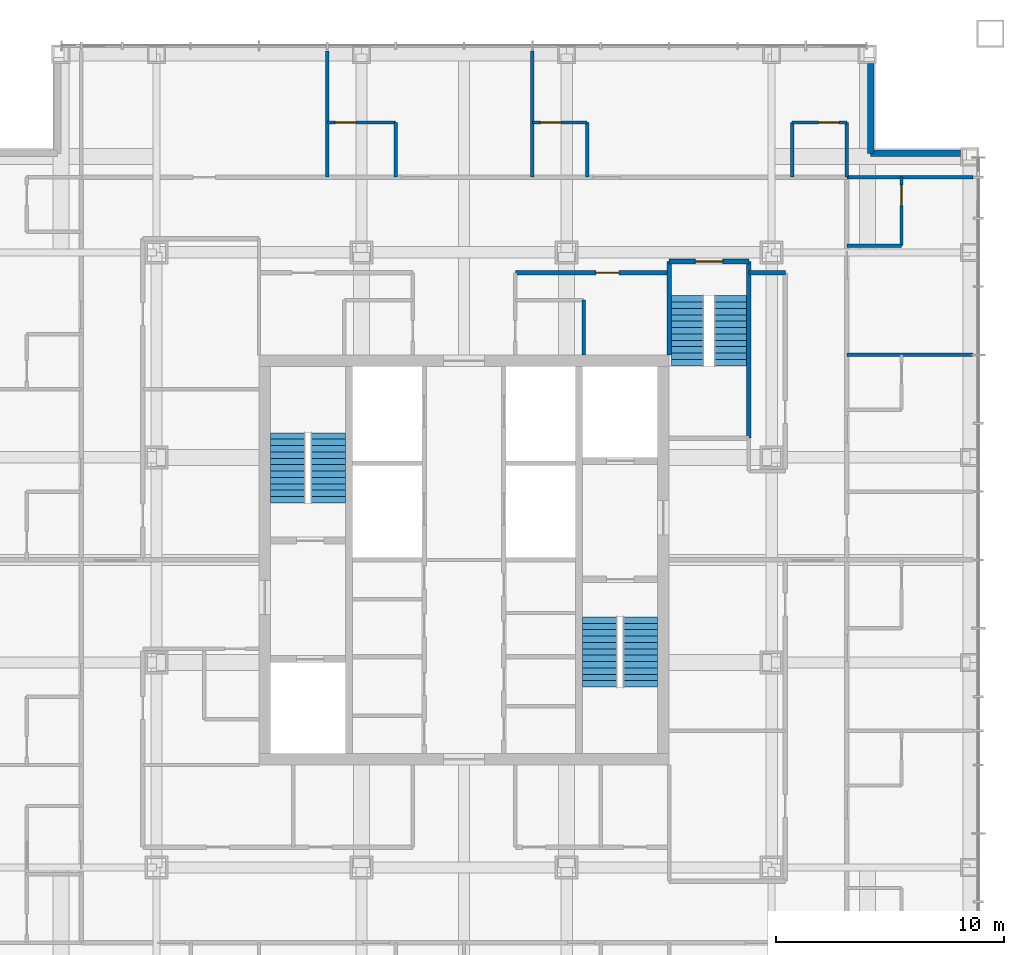
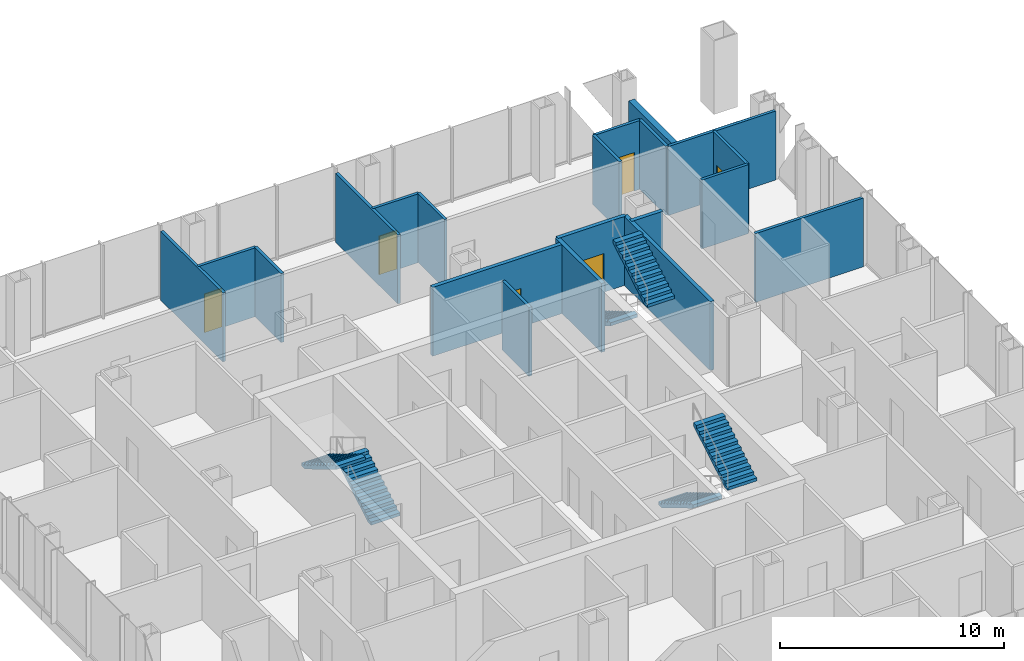
# One storey, part 10 of 15: 21 walls, 6 doors, 6 stair flights, 6 openings, 3 elements without a shape of their own.
"""IFC4 building model written with IfcOpenShell, lengths in metres."""

from ifc_helpers import new_model, si_unit, direction, frame, frame_2d, origin, place, context, subcontext, project, spatial, polyline, rectangle, outline, extrude, material, layer, layer_set, type_object, element, fill, aggregate, save


model = new_model("IFC4")

# Units and contexts
model_context = context("Model", 3, precision=1e-05, world=origin(), true_north=direction((0.0, 1.0)))
body_context = subcontext(model_context, "Body", "Model", "MODEL_VIEW")
ifc_project = project(units=[si_unit("LENGTHUNIT", "METRE"), si_unit("AREAUNIT", "SQUARE_METRE"), si_unit("VOLUMEUNIT", "CUBIC_METRE"), si_unit("PLANEANGLEUNIT", "RADIAN"), si_unit("MASSUNIT", "GRAM", prefix="KILO")], contexts=[model_context])

# Site, building, storey
site_placement = place(None, origin())
site = spatial("IfcSite", under=ifc_project, at=site_placement, CompositionType="ELEMENT")
building_placement = place(site_placement, origin())
building = spatial("IfcBuilding", under=site, at=building_placement, Name="Malebo Sky Hospital", CompositionType="ELEMENT")
storey_placement = place(building_placement, frame((0.0, 0.0, 217.0)))
storey = spatial("IfcBuildingStorey", under=building, at=storey_placement, Name="L52", CompositionType="ELEMENT", Elevation=217.0)

# Wall, opening, door
ifc_material_1 = material(Name="Gypsum board on steel studs", Category="steel")
ifc_layer_1 = layer(ifc_material_1, 0.199951171875)
ifc_layer_set_1 = layer_set([ifc_layer_1], Name="CORRIDOR WALL 200")
wall_type_1 = type_object("IfcWallType", Name="CORRIDOR WALL 200", PredefinedType="PARTITIONING", material=ifc_layer_set_1)
wall_1_placement = place(storey_placement, frame((62.25, 74.60009765625, 0.0), z_axis=(0.0, 0.0, 1.0), x_axis=(1.0, 0.0, 0.0)))
wall_1 = element("IfcWall", 1, at=wall_1_placement, inside=storey, type_object=wall_type_1, Name="Corridor Wall 200 NCI2", PredefinedType="PARTITIONING", context=body_context, shape_type="SweptSolid", body=[
    extrude(rectangle(XDim=6.75, YDim=0.199951171875, at=frame_2d((3.375, 0.0))), origin(), (0.0, 0.0, 1.0), 3.75),
])
opening_1_placement = place(wall_1_placement, frame((3.550048828125, 0.0, 0.0)))
opening_1 = element("IfcOpeningElement", 2, at=opening_1_placement, cuts=wall_1, Name="Opening D03", PredefinedType="OPENING", context=body_context, shape_type="SweptSolid", body=[
    extrude(rectangle(XDim=1.0, YDim=2.10009765625, at=frame_2d((0.5, 1.050048828125))), frame((0.0, 0.10986328125, 0.0), z_axis=(0.0, -1.0, 0.0), x_axis=(1.0, 0.0, 0.0)), (0.0, 0.0, 1.0), 0.219970703125),
])
ifc_material_2 = material(Name="Hardwood-faced door leaf in steel frame", Category="steel")
door_type_1 = type_object("IfcDoorType", Name="ROOM DOOR 1000", OperationType="SINGLE_SWING_LEFT", PredefinedType="DOOR", material=ifc_material_2)
door_1_placement = place(opening_1_placement, origin())
door_1 = element("IfcDoor", 3, at=door_1_placement, inside=storey, type_object=door_type_1, Name="Ward office door", OperationType="SINGLE_SWING_RIGHT", OverallHeight=2.10009765625, OverallWidth=1.0, PredefinedType="DOOR", context=body_context, shape_type="SweptSolid", body=[
    extrude(rectangle(XDim=1.0, YDim=2.10009765625, at=frame_2d((0.5, 1.050048828125))), frame((0.0, 0.02490234375, 0.0), z_axis=(0.0, -1.0, 0.0), x_axis=(1.0, 0.0, 0.0)), (0.0, 0.0, 1.0), 0.050048828125),
])
fill(opening_1, door_1)

# Walls
wall_2_placement = place(storey_placement, frame((72.5, 74.60009765625, 0.0), z_axis=(0.0, 0.0, 1.0), x_axis=(1.0, 0.0, 0.0)))
element("IfcWall", 4, at=wall_2_placement, inside=storey, type_object=wall_type_1, Name="Corridor Wall 200 NCI2/2", PredefinedType="PARTITIONING", context=body_context, shape_type="SweptSolid", body=[
    extrude(rectangle(XDim=1.60009765625, YDim=0.199951171875, at=frame_2d((0.800048828125, 0.0))), origin(), (0.0, 0.0, 1.0), 3.75),
])
ifc_material_3 = material(Name="Anodised aluminium rainscreen on steel framing", Category="steel")
ifc_layer_2 = layer(ifc_material_3, 0.300048828125)
ifc_layer_set_2 = layer_set([ifc_layer_2], Name="NOTCH RAINSCREEN WALL 300")
wall_type_2 = type_object("IfcWallType", Name="NOTCH RAINSCREEN WALL 300", PredefinedType="ELEMENTEDWALL", material=ifc_layer_set_2)
for number, where, z_axis, x_axis, name in (
    (5, (77.85009765625, 83.800048828125, 0.0), (0.0, 0.0, 1.0), (0.0, -1.0, 0.0), "Notch rainscreen wall N1 L52"),
    (6, (77.85009765625, 79.85009765625, 0.0), (0.0, 0.0, 1.0), (1.0, 0.0, 0.0), "Notch rainscreen wall N2 L52"),
):
    element("IfcWall", number, at=place(storey_placement, frame(where, z_axis=z_axis, x_axis=x_axis)), inside=storey, type_object=wall_type_2, Name=name, PredefinedType="ELEMENTEDWALL", context=body_context, shape_type="SweptSolid", body=[
        extrude(rectangle(XDim=3.949951171875, YDim=0.300048828125, at=frame_2d((1.97509765625, 0.0))), origin(), (0.0, 0.0, 1.0), 2.85009765625),
    ])
ifc_layer_3 = layer(ifc_material_1, 0.14990234375)
ifc_layer_set_3 = layer_set([ifc_layer_3], Name="PARTITION 150")
wall_type_3 = type_object("IfcWallType", Name="PARTITION 150", PredefinedType="PARTITIONING", material=ifc_layer_set_3)
for number, where, z_axis, x_axis, name in (
    (7, (54.0, 78.800048828125, 0.0), (0.0, 0.0, 1.0), (0.0, 1.0, 0.0), "Partition 150 NP-6.0"),
    (8, (63.0, 78.800048828125, 0.0), (0.0, 0.0, 1.0), (0.0, 1.0, 0.0), "Partition 150 NP+3.0"),
):
    element("IfcWall", number, at=place(storey_placement, frame(where, z_axis=z_axis, x_axis=x_axis)), inside=storey, type_object=wall_type_3, Name=name, PredefinedType="PARTITIONING", context=body_context, shape_type="SweptSolid", body=[
        extrude(rectangle(XDim=5.550048828125, YDim=0.14990234375, at=frame_2d((2.77490234375, 0.0))), origin(), (0.0, 0.0, 1.0), 3.75),
    ])

# Wall, opening, door
wall_3_placement = place(storey_placement, frame((54.0, 81.199951171875, 0.0), z_axis=(0.0, 0.0, 1.0), x_axis=(1.0, 0.0, 0.0)))
wall_3 = element("IfcWall", 9, at=wall_3_placement, inside=storey, type_object=wall_type_3, Name="Partition 150 NE1F", PredefinedType="PARTITIONING", context=body_context, shape_type="SweptSolid", body=[
    extrude(rectangle(XDim=3.0, YDim=0.14990234375, at=frame_2d((1.5, 0.0))), origin(), (0.0, 0.0, 1.0), 3.75),
])
opening_2_placement = place(wall_3_placement, frame((0.35009765625, 0.0, 0.0)))
opening_2 = element("IfcOpeningElement", 10, at=opening_2_placement, cuts=wall_3, Name="Opening D02", PredefinedType="OPENING", context=body_context, shape_type="SweptSolid", body=[
    extrude(rectangle(XDim=0.89990234375, YDim=2.10009765625, at=frame_2d((0.449951171875, 1.050048828125))), frame((0.0, 0.0849609375, 0.0), z_axis=(0.0, -1.0, 0.0), x_axis=(1.0, 0.0, 0.0)), (0.0, 0.0, 1.0), 0.169921875),
])
door_type_2 = type_object("IfcDoorType", Name="EN-SUITE DOOR 900", OperationType="SINGLE_SWING_LEFT", PredefinedType="DOOR", material=ifc_material_2)
door_2_placement = place(opening_2_placement, origin())
door_2 = element("IfcDoor", 11, at=door_2_placement, inside=storey, type_object=door_type_2, Name="En-suite door", OperationType="SINGLE_SWING_LEFT", OverallHeight=2.10009765625, OverallWidth=0.89990234375, PredefinedType="DOOR", context=body_context, shape_type="SweptSolid", body=[
    extrude(rectangle(XDim=0.89990234375, YDim=2.10009765625, at=frame_2d((0.449951171875, 1.050048828125))), frame((0.0, 0.02490234375, 0.0), z_axis=(0.0, -1.0, 0.0), x_axis=(1.0, 0.0, 0.0)), (0.0, 0.0, 1.0), 0.050048828125),
])
fill(opening_2, door_2)

# Wall
wall_4_placement = place(storey_placement, frame((57.0, 78.800048828125, 0.0), z_axis=(0.0, 0.0, 1.0), x_axis=(0.0, 1.0, 0.0)))
element("IfcWall", 12, at=wall_4_placement, inside=storey, type_object=wall_type_3, Name="Partition 150 NE1S", PredefinedType="PARTITIONING", context=body_context, shape_type="SweptSolid", body=[
    extrude(rectangle(XDim=2.39990234375, YDim=0.14990234375, at=frame_2d((1.199951171875, 0.0))), origin(), (0.0, 0.0, 1.0), 3.75),
])

# Wall, opening, door
wall_5_placement = place(storey_placement, frame((63.0, 81.199951171875, 0.0), z_axis=(0.0, 0.0, 1.0), x_axis=(1.0, 0.0, 0.0)))
wall_5 = element("IfcWall", 13, at=wall_5_placement, inside=storey, type_object=wall_type_3, Name="Partition 150 NE2F", PredefinedType="PARTITIONING", context=body_context, shape_type="SweptSolid", body=[
    extrude(rectangle(XDim=2.39990234375, YDim=0.14990234375, at=frame_2d((1.199951171875, 0.0))), origin(), (0.0, 0.0, 1.0), 3.75),
])
opening_3_placement = place(wall_5_placement, frame((0.35009765625, 0.0, 0.0)))
opening_3 = element("IfcOpeningElement", 14, at=opening_3_placement, cuts=wall_5, Name="Opening D02", PredefinedType="OPENING", context=body_context, shape_type="SweptSolid", body=[
    extrude(rectangle(XDim=0.89990234375, YDim=2.10009765625, at=frame_2d((0.449951171875, 1.050048828125))), frame((0.0, 0.0849609375, 0.0), z_axis=(0.0, -1.0, 0.0), x_axis=(1.0, 0.0, 0.0)), (0.0, 0.0, 1.0), 0.169921875),
])
door_3_placement = place(opening_3_placement, origin())
door_3 = element("IfcDoor", 15, at=door_3_placement, inside=storey, type_object=door_type_2, Name="En-suite door", OperationType="SINGLE_SWING_LEFT", OverallHeight=2.10009765625, OverallWidth=0.89990234375, PredefinedType="DOOR", context=body_context, shape_type="SweptSolid", body=[
    extrude(rectangle(XDim=0.89990234375, YDim=2.10009765625, at=frame_2d((0.449951171875, 1.050048828125))), frame((0.0, 0.02490234375, 0.0), z_axis=(0.0, -1.0, 0.0), x_axis=(1.0, 0.0, 0.0)), (0.0, 0.0, 1.0), 0.050048828125),
])
fill(opening_3, door_3)

# Wall
wall_6_placement = place(storey_placement, frame((65.39990234375, 78.800048828125, 0.0), z_axis=(0.0, 0.0, 1.0), x_axis=(0.0, 1.0, 0.0)))
element("IfcWall", 16, at=wall_6_placement, inside=storey, type_object=wall_type_3, Name="Partition 150 NE2S", PredefinedType="PARTITIONING", context=body_context, shape_type="SweptSolid", body=[
    extrude(rectangle(XDim=2.39990234375, YDim=0.14990234375, at=frame_2d((1.199951171875, 0.0))), origin(), (0.0, 0.0, 1.0), 3.75),
])

# Wall, opening, door
wall_7_placement = place(storey_placement, frame((74.39990234375, 81.199951171875, 0.0), z_axis=(0.0, 0.0, 1.0), x_axis=(1.0, 0.0, 0.0)))
wall_7 = element("IfcWall", 17, at=wall_7_placement, inside=storey, type_object=wall_type_3, Name="Partition 150 NG2F", PredefinedType="PARTITIONING", context=body_context, shape_type="SweptSolid", body=[
    extrude(rectangle(XDim=2.400146484375, YDim=0.14990234375, at=frame_2d((1.2001953125, 0.0))), origin(), (0.0, 0.0, 1.0), 3.75),
])
opening_4_placement = place(wall_7_placement, frame((1.14990234375, 0.0, 0.0)))
opening_4 = element("IfcOpeningElement", 18, at=opening_4_placement, cuts=wall_7, Name="Opening D02", PredefinedType="OPENING", context=body_context, shape_type="SweptSolid", body=[
    extrude(rectangle(XDim=0.89990234375, YDim=2.10009765625, at=frame_2d((0.449951171875, 1.050048828125))), frame((0.0, 0.0849609375, 0.0), z_axis=(0.0, -1.0, 0.0), x_axis=(1.0, 0.0, 0.0)), (0.0, 0.0, 1.0), 0.169921875),
])
door_4_placement = place(opening_4_placement, origin())
door_4 = element("IfcDoor", 19, at=door_4_placement, inside=storey, type_object=door_type_2, Name="En-suite door", OperationType="SINGLE_SWING_RIGHT", OverallHeight=2.10009765625, OverallWidth=0.89990234375, PredefinedType="DOOR", context=body_context, shape_type="SweptSolid", body=[
    extrude(rectangle(XDim=0.89990234375, YDim=2.10009765625, at=frame_2d((0.449951171875, 1.050048828125))), frame((0.0, 0.02490234375, 0.0), z_axis=(0.0, -1.0, 0.0), x_axis=(1.0, 0.0, 0.0)), (0.0, 0.0, 1.0), 0.050048828125),
])
fill(opening_4, door_4)

# Walls
for number, where, z_axis, x_axis, name in (
    (20, (74.39990234375, 78.800048828125, 0.0), (0.0, 0.0, 1.0), (0.0, 1.0, 0.0), "Partition 150 NG2S"),
    (21, (76.800048828125, 78.800048828125, 0.0), (0.0, 0.0, 1.0), (0.0, 1.0, 0.0), "Partition 150 NEZ"),
    (22, (65.25, 71.0, 0.0), (0.0, 0.0, 1.0), (0.0, 1.0, 0.0), "Partition 150 NSY1"),
):
    element("IfcWall", number, at=place(storey_placement, frame(where, z_axis=z_axis, x_axis=x_axis)), inside=storey, type_object=wall_type_3, Name=name, PredefinedType="PARTITIONING", context=body_context, shape_type="SweptSolid", body=[
        extrude(rectangle(XDim=2.39990234375, YDim=0.14990234375, at=frame_2d((1.199951171875, 0.0))), origin(), (0.0, 0.0, 1.0), 3.75),
    ])
for number, where, z_axis, x_axis, name in (
    (23, (76.800048828125, 71.0, 0.0), (0.0, 0.0, 1.0), (1.0, 0.0, 0.0), "Partition 150 EP-9.0"),
    (24, (76.800048828125, 78.800048828125, 0.0), (0.0, 0.0, 1.0), (1.0, 0.0, 0.0), "Partition 150 EP0"),
):
    element("IfcWall", number, at=place(storey_placement, frame(where, z_axis=z_axis, x_axis=x_axis)), inside=storey, type_object=wall_type_3, Name=name, PredefinedType="PARTITIONING", context=body_context, shape_type="SweptSolid", body=[
        extrude(rectangle(XDim=5.550048828125, YDim=0.14990234375, at=frame_2d((2.77490234375, 0.0))), origin(), (0.0, 0.0, 1.0), 3.75),
    ])

# Wall, opening, door
wall_8_placement = place(storey_placement, frame((79.199951171875, 78.800048828125, 0.0), z_axis=(0.0, 0.0, 1.0), x_axis=(0.0, -1.0, 0.0)))
wall_8 = element("IfcWall", 25, at=wall_8_placement, inside=storey, type_object=wall_type_3, Name="Partition 150 EE0F", PredefinedType="PARTITIONING", context=body_context, shape_type="SweptSolid", body=[
    extrude(rectangle(XDim=3.0, YDim=0.14990234375, at=frame_2d((1.5, 0.0))), origin(), (0.0, 0.0, 1.0), 3.75),
])
opening_5_placement = place(wall_8_placement, frame((0.35009765625, 0.0, 0.0)))
opening_5 = element("IfcOpeningElement", 26, at=opening_5_placement, cuts=wall_8, Name="Opening D02", PredefinedType="OPENING", context=body_context, shape_type="SweptSolid", body=[
    extrude(rectangle(XDim=0.89990234375, YDim=2.10009765625, at=frame_2d((0.449951171875, 1.050048828125))), frame((0.0, 0.0849609375, 0.0), z_axis=(0.0, -1.0, 0.0), x_axis=(1.0, 0.0, 0.0)), (0.0, 0.0, 1.0), 0.169921875),
])
door_5_placement = place(opening_5_placement, origin())
door_5 = element("IfcDoor", 27, at=door_5_placement, inside=storey, type_object=door_type_2, Name="En-suite door", OperationType="SINGLE_SWING_LEFT", OverallHeight=2.10009765625, OverallWidth=0.89990234375, PredefinedType="DOOR", context=body_context, shape_type="SweptSolid", body=[
    extrude(rectangle(XDim=0.89990234375, YDim=2.10009765625, at=frame_2d((0.449951171875, 1.050048828125))), frame((0.0, 0.02490234375, 0.0), z_axis=(0.0, -1.0, 0.0), x_axis=(1.0, 0.0, 0.0)), (0.0, 0.0, 1.0), 0.050048828125),
])
fill(opening_5, door_5)

# Walls
wall_9_placement = place(storey_placement, frame((76.800048828125, 75.800048828125, 0.0), z_axis=(0.0, 0.0, 1.0), x_axis=(1.0, 0.0, 0.0)))
element("IfcWall", 28, at=wall_9_placement, inside=storey, type_object=wall_type_3, Name="Partition 150 EE0S", PredefinedType="PARTITIONING", context=body_context, shape_type="SweptSolid", body=[
    extrude(rectangle(XDim=2.39990234375, YDim=0.14990234375, at=frame_2d((1.199951171875, 0.0))), origin(), (0.0, 0.0, 1.0), 3.75),
])
ifc_material_4 = material(Name="Concrete C40/50", Category="concrete")
ifc_layer_4 = layer(ifc_material_4, 0.199951171875)
ifc_layer_set_4 = layer_set([ifc_layer_4], Name="STAIR ENCLOSURE WALL 200")
wall_type_4 = type_object("IfcWallType", Name="STAIR ENCLOSURE WALL 200", PredefinedType="SOLIDWALL", material=ifc_layer_set_4)
wall_10_placement = place(storey_placement, frame((69.0, 71.0, 0.0), z_axis=(0.0, 0.0, 1.0), x_axis=(0.0, 1.0, 0.0)))
element("IfcWall", 29, at=wall_10_placement, inside=storey, type_object=wall_type_4, Name="Stair Enclosure Wall 200 ST3W", PredefinedType="SOLIDWALL", context=body_context, shape_type="SweptSolid", body=[
    extrude(rectangle(XDim=4.10009765625, YDim=0.199951171875, at=frame_2d((2.050048828125, 0.0))), origin(), (0.0, 0.0, 1.0), 3.75),
])
wall_11_placement = place(storey_placement, frame((72.5, 67.35009765625, 0.0), z_axis=(0.0, 0.0, 1.0), x_axis=(0.0, 1.0, 0.0)))
element("IfcWall", 30, at=wall_11_placement, inside=storey, type_object=wall_type_4, Name="Stair Enclosure Wall 200 ST3E", PredefinedType="SOLIDWALL", context=body_context, shape_type="SweptSolid", body=[
    extrude(rectangle(XDim=7.75, YDim=0.199951171875, at=frame_2d((3.875, 0.0))), origin(), (0.0, 0.0, 1.0), 3.75),
])

# Wall, opening, door
wall_12_placement = place(storey_placement, frame((69.0, 75.10009765625, 0.0), z_axis=(0.0, 0.0, 1.0), x_axis=(1.0, 0.0, 0.0)))
wall_12 = element("IfcWall", 31, at=wall_12_placement, inside=storey, type_object=wall_type_4, Name="Stair Enclosure Wall 200 ST3N", PredefinedType="SOLIDWALL", context=body_context, shape_type="SweptSolid", body=[
    extrude(rectangle(XDim=3.5, YDim=0.199951171875, at=frame_2d((1.75, 0.0))), origin(), (0.0, 0.0, 1.0), 3.75),
])
opening_6_placement = place(wall_12_placement, frame((1.14990234375, 0.0, 0.0)))
opening_6 = element("IfcOpeningElement", 32, at=opening_6_placement, cuts=wall_12, Name="Opening D08", PredefinedType="OPENING", context=body_context, shape_type="SweptSolid", body=[
    extrude(rectangle(XDim=1.199951171875, YDim=2.10009765625, at=frame_2d((0.60009765625, 1.050048828125))), frame((0.0, 0.10986328125, 0.0), z_axis=(0.0, -1.0, 0.0), x_axis=(1.0, 0.0, 0.0)), (0.0, 0.0, 1.0), 0.219970703125),
])
door_type_3 = type_object("IfcDoorType", Name="STAIR DOOR 1200", OperationType="SINGLE_SWING_LEFT", PredefinedType="DOOR", material=ifc_material_2)
door_6_placement = place(opening_6_placement, origin())
door_6 = element("IfcDoor", 33, at=door_6_placement, inside=storey, type_object=door_type_3, Name="Stair S3 door", OperationType="SINGLE_SWING_LEFT", OverallHeight=2.10009765625, OverallWidth=1.199951171875, PredefinedType="DOOR", context=body_context, shape_type="SweptSolid", body=[
    extrude(rectangle(XDim=1.199951171875, YDim=2.10009765625, at=frame_2d((0.60009765625, 1.050048828125))), frame((0.0, 0.02490234375, 0.0), z_axis=(0.0, -1.0, 0.0), x_axis=(1.0, 0.0, 0.0)), (0.0, 0.0, 1.0), 0.050048828125),
])
fill(opening_6, door_6)

# Stair, stair flights
stair_type_1 = type_object("IfcStairType", Name="HALF-TURN STAIR 1400 R167", PredefinedType="HALF_TURN_STAIR", material=ifc_material_4)
stair_1_placement = place(storey_placement, origin())
stair_1 = element("IfcStair", 34, at=stair_1_placement, inside=storey, type_object=stair_type_1, Name="Stair S3 L52 type ST1B", PredefinedType="HALF_TURN_STAIR")
stair_flight_type_1 = type_object("IfcStairFlightType", Name="STAIR FLIGHT 1400 R167", PredefinedType="STRAIGHT", material=ifc_material_4)
stair_flight_1_placement = place(storey_placement, frame((69.800048828125, 73.60009765625, 0.0), z_axis=(0.0, 0.0, 1.0), x_axis=(0.0, -1.0, 0.0)))
stair_flight_1 = element("IfcStairFlight", 35, at=stair_flight_1_placement, type_object=stair_flight_type_1, Name="S3 flight 1 type SF1B", NumberOfRisers=12, NumberOfTreads=11, PredefinedType="STRAIGHT", RiserHeight=0.166666667, TreadLength=0.28, context=body_context, shape_type="SweptSolid", body=[
    extrude(outline(polyline([(0.0, 0.0), (0.0, 0.166748046875), (0.280029296875, 0.166748046875), (0.280029296875, 0.333251953125), (0.56005859375, 0.333251953125), (0.56005859375, 0.5), (0.840087890625, 0.5), (0.840087890625, 0.666748046875), (1.1201171875, 0.666748046875), (1.1201171875, 0.833251953125), (1.39990234375, 0.833251953125), (1.39990234375, 1.0), (1.679931640625, 1.0), (1.679931640625, 1.166748046875), (1.9599609375, 1.166748046875), (1.9599609375, 1.333251953125), (2.239990234375, 1.333251953125), (2.239990234375, 1.5), (2.52001953125, 1.5), (2.52001953125, 1.666748046875), (2.800048828125, 1.666748046875), (2.800048828125, 1.833251953125), (3.080078125, 1.833251953125), (3.080078125, 2.0), (3.080078125, 1.658935546875), (0.29296875, 0.0), (0.0, 0.0)])), frame((0.0, 0.699951171875, 0.0), z_axis=(0.0, -1.0, 0.0), x_axis=(1.0, 0.0, 0.0)), (0.0, 0.0, 1.0), 1.39990234375),
])
stair_flight_2_placement = place(storey_placement, frame((71.699951171875, 70.52001953125, 2.0), z_axis=(0.0, 0.0, 1.0), x_axis=(0.0, 1.0, 0.0)))
stair_flight_2 = element("IfcStairFlight", 36, at=stair_flight_2_placement, type_object=stair_flight_type_1, Name="S3 flight 2 type SF1B", NumberOfRisers=12, NumberOfTreads=11, PredefinedType="STRAIGHT", RiserHeight=0.166666667, TreadLength=0.28, context=body_context, shape_type="SweptSolid", body=[
    extrude(outline(polyline([(0.0, 0.0), (0.0, 0.166748046875), (0.280029296875, 0.166748046875), (0.280029296875, 0.333251953125), (0.56005859375, 0.333251953125), (0.56005859375, 0.5), (0.840087890625, 0.5), (0.840087890625, 0.666748046875), (1.1201171875, 0.666748046875), (1.1201171875, 0.833251953125), (1.39990234375, 0.833251953125), (1.39990234375, 1.0), (1.679931640625, 1.0), (1.679931640625, 1.166748046875), (1.9599609375, 1.166748046875), (1.9599609375, 1.333251953125), (2.239990234375, 1.333251953125), (2.239990234375, 1.5), (2.52001953125, 1.5), (2.52001953125, 1.666748046875), (2.800048828125, 1.666748046875), (2.800048828125, 1.833251953125), (3.080078125, 1.833251953125), (3.080078125, 2.0), (3.080078125, 1.658935546875), (0.29296875, 0.0), (0.0, 0.0)])), frame((0.0, 0.699951171875, 0.0), z_axis=(0.0, -1.0, 0.0), x_axis=(1.0, 0.0, 0.0)), (0.0, 0.0, 1.0), 1.39990234375),
])
aggregate(stair_1, [stair_flight_1, stair_flight_2])

stair_type_2 = type_object("IfcStairType", Name="HALF-TURN STAIR 1500 R167", PredefinedType="HALF_TURN_STAIR", material=ifc_material_4)
stair_2_placement = place(storey_placement, origin())
stair_2 = element("IfcStair", 37, at=stair_2_placement, inside=storey, type_object=stair_type_2, Name="Stair S1 L52 type ST1", PredefinedType="HALF_TURN_STAIR")
stair_flight_type_2 = type_object("IfcStairFlightType", Name="STAIR FLIGHT 1500 R167", PredefinedType="STRAIGHT", material=ifc_material_4)
stair_flight_3_placement = place(storey_placement, frame((54.050048828125, 64.5, 0.0), z_axis=(0.0, 0.0, 1.0), x_axis=(0.0, 1.0, 0.0)))
stair_flight_3 = element("IfcStairFlight", 38, at=stair_flight_3_placement, type_object=stair_flight_type_2, Name="S1 flight 1 type SF1", NumberOfRisers=12, NumberOfTreads=11, PredefinedType="STRAIGHT", RiserHeight=0.166666667, TreadLength=0.28, context=body_context, shape_type="SweptSolid", body=[
    extrude(outline(polyline([(0.0, 0.0), (0.0, 0.166748046875), (0.280029296875, 0.166748046875), (0.280029296875, 0.333251953125), (0.56005859375, 0.333251953125), (0.56005859375, 0.5), (0.840087890625, 0.5), (0.840087890625, 0.666748046875), (1.1201171875, 0.666748046875), (1.1201171875, 0.833251953125), (1.39990234375, 0.833251953125), (1.39990234375, 1.0), (1.679931640625, 1.0), (1.679931640625, 1.166748046875), (1.9599609375, 1.166748046875), (1.9599609375, 1.333251953125), (2.239990234375, 1.333251953125), (2.239990234375, 1.5), (2.52001953125, 1.5), (2.52001953125, 1.666748046875), (2.800048828125, 1.666748046875), (2.800048828125, 1.833251953125), (3.080078125, 1.833251953125), (3.080078125, 2.0), (3.080078125, 1.658935546875), (0.29296875, 0.0), (0.0, 0.0)])), frame((0.0, 0.75, 0.0), z_axis=(0.0, -1.0, 0.0), x_axis=(1.0, 0.0, 0.0)), (0.0, 0.0, 1.0), 1.5),
])
stair_flight_4_placement = place(storey_placement, frame((52.25, 67.580078125, 2.0), z_axis=(0.0, 0.0, 1.0), x_axis=(0.0, -1.0, 0.0)))
stair_flight_4 = element("IfcStairFlight", 39, at=stair_flight_4_placement, type_object=stair_flight_type_2, Name="S1 flight 2 type SF1", NumberOfRisers=12, NumberOfTreads=11, PredefinedType="STRAIGHT", RiserHeight=0.166666667, TreadLength=0.28, context=body_context, shape_type="SweptSolid", body=[
    extrude(outline(polyline([(0.0, 0.0), (0.0, 0.166748046875), (0.280029296875, 0.166748046875), (0.280029296875, 0.333251953125), (0.56005859375, 0.333251953125), (0.56005859375, 0.5), (0.840087890625, 0.5), (0.840087890625, 0.666748046875), (1.1201171875, 0.666748046875), (1.1201171875, 0.833251953125), (1.39990234375, 0.833251953125), (1.39990234375, 1.0), (1.679931640625, 1.0), (1.679931640625, 1.166748046875), (1.9599609375, 1.166748046875), (1.9599609375, 1.333251953125), (2.239990234375, 1.333251953125), (2.239990234375, 1.5), (2.52001953125, 1.5), (2.52001953125, 1.666748046875), (2.800048828125, 1.666748046875), (2.800048828125, 1.833251953125), (3.080078125, 1.833251953125), (3.080078125, 2.0), (3.080078125, 1.658935546875), (0.29296875, 0.0), (0.0, 0.0)])), frame((0.0, 0.75, 0.0), z_axis=(0.0, -1.0, 0.0), x_axis=(1.0, 0.0, 0.0)), (0.0, 0.0, 1.0), 1.5),
])
aggregate(stair_2, [stair_flight_3, stair_flight_4])

stair_3_placement = place(storey_placement, origin())
stair_3 = element("IfcStair", 40, at=stair_3_placement, inside=storey, type_object=stair_type_2, Name="Stair S2 L52 type ST1", PredefinedType="HALF_TURN_STAIR")
stair_flight_5_placement = place(storey_placement, frame((65.949951171875, 59.5, 0.0), z_axis=(0.0, 0.0, 1.0), x_axis=(0.0, -1.0, 0.0)))
stair_flight_5 = element("IfcStairFlight", 41, at=stair_flight_5_placement, type_object=stair_flight_type_2, Name="S2 flight 1 type SF1", NumberOfRisers=12, NumberOfTreads=11, PredefinedType="STRAIGHT", RiserHeight=0.166666667, TreadLength=0.28, context=body_context, shape_type="SweptSolid", body=[
    extrude(outline(polyline([(0.0, 0.0), (0.0, 0.166748046875), (0.280029296875, 0.166748046875), (0.280029296875, 0.333251953125), (0.56005859375, 0.333251953125), (0.56005859375, 0.5), (0.840087890625, 0.5), (0.840087890625, 0.666748046875), (1.1201171875, 0.666748046875), (1.1201171875, 0.833251953125), (1.39990234375, 0.833251953125), (1.39990234375, 1.0), (1.679931640625, 1.0), (1.679931640625, 1.166748046875), (1.9599609375, 1.166748046875), (1.9599609375, 1.333251953125), (2.239990234375, 1.333251953125), (2.239990234375, 1.5), (2.52001953125, 1.5), (2.52001953125, 1.666748046875), (2.800048828125, 1.666748046875), (2.800048828125, 1.833251953125), (3.080078125, 1.833251953125), (3.080078125, 2.0), (3.080078125, 1.658935546875), (0.29296875, 0.0), (0.0, 0.0)])), frame((0.0, 0.75, 0.0), z_axis=(0.0, -1.0, 0.0), x_axis=(1.0, 0.0, 0.0)), (0.0, 0.0, 1.0), 1.5),
])
stair_flight_6_placement = place(storey_placement, frame((67.75, 56.419921875, 2.0), z_axis=(0.0, 0.0, 1.0), x_axis=(0.0, 1.0, 0.0)))
stair_flight_6 = element("IfcStairFlight", 42, at=stair_flight_6_placement, type_object=stair_flight_type_2, Name="S2 flight 2 type SF1", NumberOfRisers=12, NumberOfTreads=11, PredefinedType="STRAIGHT", RiserHeight=0.166666667, TreadLength=0.28, context=body_context, shape_type="SweptSolid", body=[
    extrude(outline(polyline([(0.0, 0.0), (0.0, 0.166748046875), (0.280029296875, 0.166748046875), (0.280029296875, 0.333251953125), (0.56005859375, 0.333251953125), (0.56005859375, 0.5), (0.840087890625, 0.5), (0.840087890625, 0.666748046875), (1.1201171875, 0.666748046875), (1.1201171875, 0.833251953125), (1.39990234375, 0.833251953125), (1.39990234375, 1.0), (1.679931640625, 1.0), (1.679931640625, 1.166748046875), (1.9599609375, 1.166748046875), (1.9599609375, 1.333251953125), (2.239990234375, 1.333251953125), (2.239990234375, 1.5), (2.52001953125, 1.5), (2.52001953125, 1.666748046875), (2.800048828125, 1.666748046875), (2.800048828125, 1.833251953125), (3.080078125, 1.833251953125), (3.080078125, 2.0), (3.080078125, 1.658935546875), (0.29296875, 0.0), (0.0, 0.0)])), frame((0.0, 0.75, 0.0), z_axis=(0.0, -1.0, 0.0), x_axis=(1.0, 0.0, 0.0)), (0.0, 0.0, 1.0), 1.5),
])
aggregate(stair_3, [stair_flight_5, stair_flight_6])

save(model, "model.ifc")
